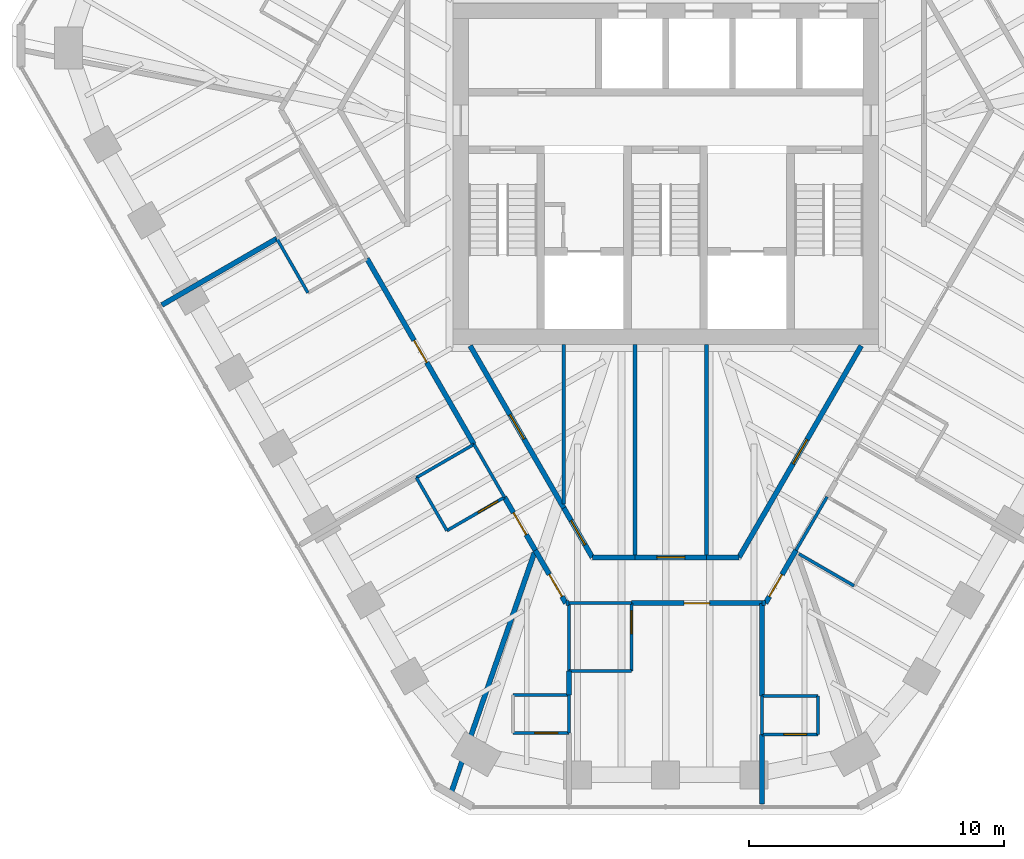
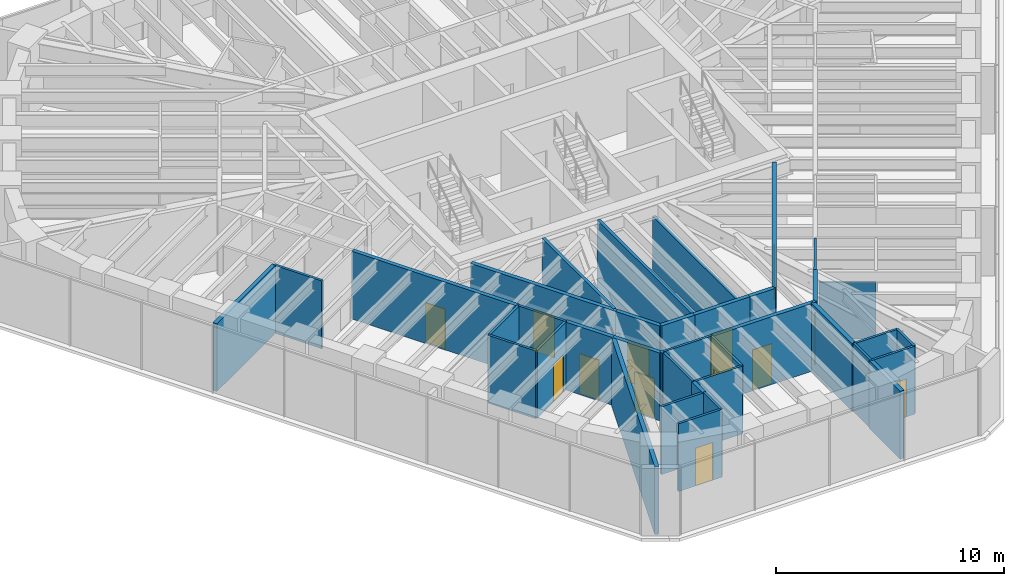
# One storey, part 9 of 14: 39 walls, 13 doors, 13 openings.
"""IFC4 building model written with IfcOpenShell, lengths in metres."""

from ifc_helpers import new_model, si_unit, direction, frame, frame_2d, origin, place, context, subcontext, project, spatial, rectangle, extrude, material, layer, layer_set, type_object, element, fill, save


model = new_model("IFC4")

# Units and contexts
model_context = context("Model", 3, precision=1e-05, world=origin(), true_north=direction((0.0, 1.0)))
body_context = subcontext(model_context, "Body", "Model", "MODEL_VIEW")
ifc_project = project(units=[si_unit("LENGTHUNIT", "METRE"), si_unit("AREAUNIT", "SQUARE_METRE"), si_unit("VOLUMEUNIT", "CUBIC_METRE"), si_unit("PLANEANGLEUNIT", "RADIAN"), si_unit("MASSUNIT", "GRAM", prefix="KILO")], contexts=[model_context])

# Site, building, storey
site_placement = place(None, origin())
site = spatial("IfcSite", under=ifc_project, at=site_placement, CompositionType="ELEMENT")
building_placement = place(site_placement, origin())
building = spatial("IfcBuilding", under=site, at=building_placement, Name="Sandreach Pilgrim Tower", CompositionType="ELEMENT")
storey_placement = place(building_placement, frame((0.0, 0.0, 291.199951171875)))
storey = spatial("IfcBuildingStorey", under=building, at=storey_placement, Name="L73", CompositionType="ELEMENT", Elevation=291.199951171875)

# Walls
ifc_material_1 = material(Name="Gypsum board on steel studs", Category="steel")
ifc_layer_1 = layer(ifc_material_1, 0.14990234375)
ifc_layer_set_1 = layer_set([ifc_layer_1], Name="Back of house wall 150")
wall_type_1 = type_object("IfcWallType", Name="Back of house wall 150", PredefinedType="PARTITIONING", material=ifc_layer_set_1)
wall_1_placement = place(storey_placement, frame((-4.0, -6.699951171875, 0.0), z_axis=(0.0, 0.0, 1.0), x_axis=(0.0, -1.0, 0.0)))
element("IfcWall", 1, at=wall_1_placement, inside=storey, type_object=wall_type_1, Name="Back of house wall L73-049", PredefinedType="PARTITIONING", context=body_context, shape_type="SweptSolid", body=[
    extrude(rectangle(XDim=6.26513671875, YDim=0.14990234375, at=frame_2d((3.132568359375, 0.0))), origin(), (0.0, 0.0, 1.0), 3.64013671875),
])
wall_2_placement = place(storey_placement, frame((-1.199951171875, -6.699951171875, 0.0), z_axis=(0.0, 0.0, 1.0), x_axis=(0.0, -1.0, 0.0)))
element("IfcWall", 2, at=wall_2_placement, inside=storey, type_object=wall_type_1, Name="Back of house wall L73-063", PredefinedType="PARTITIONING", context=body_context, shape_type="SweptSolid", body=[
    extrude(rectangle(XDim=8.360107421875, YDim=0.14990234375, at=frame_2d((4.18017578125, 0.0))), origin(), (0.0, 0.0, 1.0), 3.64013671875),
])
wall_3_placement = place(storey_placement, frame((1.60009765625, -6.699951171875, 0.0), z_axis=(0.0, 0.0, 1.0), x_axis=(0.0, -1.0, 0.0)))
element("IfcWall", 3, at=wall_3_placement, inside=storey, type_object=wall_type_1, Name="Back of house wall L73-069", PredefinedType="PARTITIONING", context=body_context, shape_type="SweptSolid", body=[
    extrude(rectangle(XDim=8.360107421875, YDim=0.14990234375, at=frame_2d((4.18017578125, 0.0))), origin(), (0.0, 0.0, 1.0), 2.8603515625),
])
ifc_material_2 = material(Name="Moisture-resistant gypsum board on steel studs", Category="steel")
ifc_layer_2 = layer(ifc_material_2, 0.1201171875)
ifc_layer_set_2 = layer_set([ifc_layer_2], Name="Bathroom partition 120")
wall_type_2 = type_object("IfcWallType", Name="Bathroom partition 120", PredefinedType="PARTITIONING", material=ifc_layer_set_2)
wall_4_placement = place(storey_placement, frame((-15.27001953125, -2.5400390625, 0.0), z_axis=(0.0, 0.0, 1.0), x_axis=(0.497027744361, -0.86773464915, 0.0)))
element("IfcWall", 4, at=wall_4_placement, inside=storey, type_object=wall_type_2, Name="Bathroom partition L73-008", PredefinedType="PARTITIONING", context=body_context, shape_type="SweptSolid", body=[
    extrude(rectangle(XDim=2.45458984375, YDim=0.1201171875, at=frame_2d((1.227294921875, 0.0))), origin(), (0.0, 0.0, 1.0), 3.64013671875),
])
wall_5_placement = place(storey_placement, frame((-9.7900390625, -11.929931640625, 0.0), z_axis=(0.0, 0.0, 1.0), x_axis=(0.499693115345, -0.866202511239, 0.0)))
element("IfcWall", 5, at=wall_5_placement, inside=storey, type_object=wall_type_2, Name="Bathroom partition L73-031", PredefinedType="PARTITIONING", context=body_context, shape_type="SweptSolid", body=[
    extrude(rectangle(XDim=2.4013671875, YDim=0.1201171875, at=frame_2d((1.20068359375, 0.0))), origin(), (0.0, 0.0, 1.0), 3.64013671875),
])
wall_6_placement = place(storey_placement, frame((-9.7900390625, -11.929931640625, 0.0), z_axis=(0.0, 0.0, 1.0), x_axis=(0.865195830568, 0.501434118073, 0.0)))
element("IfcWall", 6, at=wall_6_placement, inside=storey, type_object=wall_type_2, Name="Bathroom partition L73-032", PredefinedType="PARTITIONING", context=body_context, shape_type="SweptSolid", body=[
    extrude(rectangle(XDim=2.612060546875, YDim=0.1201171875, at=frame_2d((1.30615234375, 0.0))), origin(), (0.0, 0.0, 1.0), 3.64013671875),
])

# Wall, opening, door
wall_7_placement = place(storey_placement, frame((-8.590087890625, -14.010009765625, 0.0), z_axis=(0.0, 0.0, 1.0), x_axis=(0.865155281359, 0.50150407689, 0.0)))
wall_7 = element("IfcWall", 7, at=wall_7_placement, inside=storey, type_object=wall_type_2, Name="Bathroom partition L73-033", PredefinedType="PARTITIONING", context=body_context, shape_type="SweptSolid", body=[
    extrude(rectangle(XDim=2.6123046875, YDim=0.1201171875, at=frame_2d((1.30615234375, 0.0))), origin(), (0.0, 0.0, 1.0), 3.64013671875),
])
opening_1_placement = place(wall_7_placement, frame((1.412109375, 0.0, 0.0)))
opening_1 = element("IfcOpeningElement", 8, at=opening_1_placement, cuts=wall_7, Name="Opening D09-13B", PredefinedType="OPENING", context=body_context, shape_type="SweptSolid", body=[
    extrude(rectangle(XDim=0.89990234375, YDim=2.030029296875, at=frame_2d((0.449951171875, 1.01513671875))), frame((0.0, 0.06005859375, 0.0), z_axis=(0.0, -1.0, 0.0), x_axis=(1.0, 0.0, 0.0)), (0.0, 0.0, 1.0), 0.1201171875),
])
ifc_material_3 = material(Name="Timber door, steel frame", Category="steel")
door_type_1 = type_object("IfcDoorType", Name="Bathroom door", OperationType="SINGLE_SWING_LEFT", PredefinedType="DOOR", material=ifc_material_3)
door_1_placement = place(opening_1_placement, origin())
door_1 = element("IfcDoor", 9, at=door_1_placement, inside=storey, type_object=door_type_1, Name="Door 7313B", OperationType="SINGLE_SWING_RIGHT", OverallHeight=2.030029296875, OverallWidth=0.89990234375, PredefinedType="DOOR", context=body_context, shape_type="SweptSolid", body=[
    extrude(rectangle(XDim=0.89990234375, YDim=2.030029296875, at=frame_2d((0.449951171875, 1.01513671875))), frame((0.0, 0.02490234375, 0.0), z_axis=(0.0, -1.0, 0.0), x_axis=(1.0, 0.0, 0.0)), (0.0, 0.0, 1.0), 0.050048828125),
])
fill(opening_1, door_1)

# Wall
wall_8_placement = place(storey_placement, frame((-7.530029296875, -10.6201171875, 0.0), z_axis=(0.0, 0.0, 1.0), x_axis=(0.499737123639, -0.866177122335, 0.0)))
element("IfcWall", 10, at=wall_8_placement, inside=storey, type_object=wall_type_2, Name="Bathroom partition L73-039", PredefinedType="PARTITIONING", context=body_context, shape_type="SweptSolid", body=[
    extrude(rectangle(XDim=2.401123046875, YDim=0.1201171875, at=frame_2d((1.20068359375, 0.0))), origin(), (0.0, 0.0, 1.0), 3.64013671875),
])

# Wall, opening, door
wall_9_placement = place(storey_placement, frame((-5.989990234375, -21.9599609375, 0.0), z_axis=(0.0, 0.0, 1.0), x_axis=(1.0, 0.0, 0.0)))
wall_9 = element("IfcWall", 11, at=wall_9_placement, inside=storey, type_object=wall_type_2, Name="Bathroom partition L73-042", PredefinedType="PARTITIONING", context=body_context, shape_type="SweptSolid", body=[
    extrude(rectangle(XDim=2.199951171875, YDim=0.1201171875, at=frame_2d((1.10009765625, 0.0))), origin(), (0.0, 0.0, 1.0), 3.64013671875),
])
opening_2_placement = place(wall_9_placement, frame((0.85009765625, 0.0, 0.0)))
opening_2 = element("IfcOpeningElement", 12, at=opening_2_placement, cuts=wall_9, Name="Opening D09-12B", PredefinedType="OPENING", context=body_context, shape_type="SweptSolid", body=[
    extrude(rectangle(XDim=0.89990234375, YDim=2.030029296875, at=frame_2d((0.449951171875, 1.01513671875))), frame((0.0, 0.06005859375, 0.0), z_axis=(0.0, -1.0, 0.0), x_axis=(1.0, 0.0, 0.0)), (0.0, 0.0, 1.0), 0.1201171875),
])
door_2_placement = place(opening_2_placement, origin())
door_2 = element("IfcDoor", 13, at=door_2_placement, inside=storey, type_object=door_type_1, Name="Door 7312B", OperationType="SINGLE_SWING_RIGHT", OverallHeight=2.030029296875, OverallWidth=0.89990234375, PredefinedType="DOOR", context=body_context, shape_type="SweptSolid", body=[
    extrude(rectangle(XDim=0.89990234375, YDim=2.030029296875, at=frame_2d((0.449951171875, 1.01513671875))), frame((0.0, 0.02490234375, 0.0), z_axis=(0.0, -1.0, 0.0), x_axis=(1.0, 0.0, 0.0)), (0.0, 0.0, 1.0), 0.050048828125),
])
fill(opening_2, door_2)

# Walls
wall_10_placement = place(storey_placement, frame((-3.7900390625, -21.9599609375, 0.0), z_axis=(0.0, 0.0, 1.0), x_axis=(0.0, 1.0, 0.0)))
element("IfcWall", 14, at=wall_10_placement, inside=storey, type_object=wall_type_2, Name="Bathroom partition L73-052", PredefinedType="PARTITIONING", context=body_context, shape_type="SweptSolid", body=[
    extrude(rectangle(XDim=1.5, YDim=0.1201171875, at=frame_2d((0.75, 0.0))), origin(), (0.0, 0.0, 1.0), 3.64013671875),
])
wall_11_placement = place(storey_placement, frame((-3.7900390625, -20.4599609375, 0.0), z_axis=(0.0, 0.0, 1.0), x_axis=(-1.0, 0.0, 0.0)))
element("IfcWall", 15, at=wall_11_placement, inside=storey, type_object=wall_type_2, Name="Bathroom partition L73-053", PredefinedType="PARTITIONING", context=body_context, shape_type="SweptSolid", body=[
    extrude(rectangle(XDim=2.199951171875, YDim=0.1201171875, at=frame_2d((1.10009765625, 0.0))), origin(), (0.0, 0.0, 1.0), 3.64013671875),
])
wall_12_placement = place(storey_placement, frame((-3.7900390625, -19.530029296875, 0.0), z_axis=(0.0, 0.0, 1.0), x_axis=(0.0, 1.0, 0.0)))
element("IfcWall", 16, at=wall_12_placement, inside=storey, type_object=wall_type_2, Name="Bathroom partition L73-055", PredefinedType="PARTITIONING", context=body_context, shape_type="SweptSolid", body=[
    extrude(rectangle(XDim=2.669921875, YDim=0.1201171875, at=frame_2d((1.3349609375, 0.0))), origin(), (0.0, 0.0, 1.0), 3.64013671875),
])
for number, where, z_axis, x_axis, name in (
    (17, (-3.7900390625, -19.530029296875, 0.0), (0.0, 0.0, 1.0), (1.0, 0.0, 0.0), "Bathroom partition L73-056"),
    (18, (-3.7900390625, -16.860107421875, 0.0), (0.0, 0.0, 1.0), (1.0, 0.0, 0.0), "Bathroom partition L73-057"),
):
    element("IfcWall", number, at=place(storey_placement, frame(where, z_axis=z_axis, x_axis=x_axis)), inside=storey, type_object=wall_type_2, Name=name, PredefinedType="PARTITIONING", context=body_context, shape_type="SweptSolid", body=[
        extrude(rectangle(XDim=2.449951171875, YDim=0.1201171875, at=frame_2d((1.22509765625, 0.0))), origin(), (0.0, 0.0, 1.0), 3.64013671875),
    ])

# Wall, opening, door
wall_13_placement = place(storey_placement, frame((-1.340087890625, -19.530029296875, 0.0), z_axis=(0.0, 0.0, 1.0), x_axis=(0.0, 1.0, 0.0)))
wall_13 = element("IfcWall", 19, at=wall_13_placement, inside=storey, type_object=wall_type_2, Name="Bathroom partition L73-060", PredefinedType="PARTITIONING", context=body_context, shape_type="SweptSolid", body=[
    extrude(rectangle(XDim=2.669921875, YDim=0.1201171875, at=frame_2d((1.3349609375, 0.0))), origin(), (0.0, 0.0, 1.0), 3.64013671875),
])
opening_3_placement = place(wall_13_placement, frame((1.469970703125, 0.0, 0.0)))
opening_3 = element("IfcOpeningElement", 20, at=opening_3_placement, cuts=wall_13, Name="Opening D09-11B", PredefinedType="OPENING", context=body_context, shape_type="SweptSolid", body=[
    extrude(rectangle(XDim=0.89990234375, YDim=2.030029296875, at=frame_2d((0.449951171875, 1.01513671875))), frame((0.0, 0.06005859375, 0.0), z_axis=(0.0, -1.0, 0.0), x_axis=(1.0, 0.0, 0.0)), (0.0, 0.0, 1.0), 0.1201171875),
])
door_3_placement = place(opening_3_placement, origin())
door_3 = element("IfcDoor", 21, at=door_3_placement, inside=storey, type_object=door_type_1, Name="Door 7311B", OperationType="SINGLE_SWING_RIGHT", OverallHeight=2.030029296875, OverallWidth=0.89990234375, PredefinedType="DOOR", context=body_context, shape_type="SweptSolid", body=[
    extrude(rectangle(XDim=0.89990234375, YDim=2.030029296875, at=frame_2d((0.449951171875, 1.01513671875))), frame((0.0, 0.02490234375, 0.0), z_axis=(0.0, -1.0, 0.0), x_axis=(1.0, 0.0, 0.0)), (0.0, 0.0, 1.0), 0.050048828125),
])
fill(opening_3, door_3)

# Wall
wall_14_placement = place(storey_placement, frame((3.7900390625, -22.010009765625, 0.0), z_axis=(0.0, 0.0, 1.0), x_axis=(0.0, 1.0, 0.0)))
element("IfcWall", 22, at=wall_14_placement, inside=storey, type_object=wall_type_2, Name="Bathroom partition L73-074", PredefinedType="PARTITIONING", context=body_context, shape_type="SweptSolid", body=[
    extrude(rectangle(XDim=1.5, YDim=0.1201171875, at=frame_2d((0.75, 0.0))), origin(), (0.0, 0.0, 1.0), 3.64013671875),
])

# Wall, opening, door
wall_15_placement = place(storey_placement, frame((3.7900390625, -22.010009765625, 0.0), z_axis=(0.0, 0.0, 1.0), x_axis=(1.0, 0.0, 0.0)))
wall_15 = element("IfcWall", 23, at=wall_15_placement, inside=storey, type_object=wall_type_2, Name="Bathroom partition L73-075", PredefinedType="PARTITIONING", context=body_context, shape_type="SweptSolid", body=[
    extrude(rectangle(XDim=2.199951171875, YDim=0.1201171875, at=frame_2d((1.10009765625, 0.0))), origin(), (0.0, 0.0, 1.0), 3.64013671875),
])
opening_4_placement = place(wall_15_placement, frame((0.85009765625, 0.0, 0.0)))
opening_4 = element("IfcOpeningElement", 24, at=opening_4_placement, cuts=wall_15, Name="Opening D09-10B", PredefinedType="OPENING", context=body_context, shape_type="SweptSolid", body=[
    extrude(rectangle(XDim=0.89990234375, YDim=2.030029296875, at=frame_2d((0.449951171875, 1.01513671875))), frame((0.0, 0.06005859375, 0.0), z_axis=(0.0, -1.0, 0.0), x_axis=(1.0, 0.0, 0.0)), (0.0, 0.0, 1.0), 0.1201171875),
])
door_4_placement = place(opening_4_placement, origin())
door_4 = element("IfcDoor", 25, at=door_4_placement, inside=storey, type_object=door_type_1, Name="Door 7310B", OperationType="SINGLE_SWING_RIGHT", OverallHeight=2.030029296875, OverallWidth=0.89990234375, PredefinedType="DOOR", context=body_context, shape_type="SweptSolid", body=[
    extrude(rectangle(XDim=0.89990234375, YDim=2.030029296875, at=frame_2d((0.449951171875, 1.01513671875))), frame((0.0, 0.02490234375, 0.0), z_axis=(0.0, -1.0, 0.0), x_axis=(1.0, 0.0, 0.0)), (0.0, 0.0, 1.0), 0.050048828125),
])
fill(opening_4, door_4)

# Walls
wall_16_placement = place(storey_placement, frame((5.1201171875, -14.780029296875, 0.0), z_axis=(0.0, 0.0, 1.0), x_axis=(0.502307685327, 0.86468895521, 0.0)))
element("IfcWall", 26, at=wall_16_placement, inside=storey, type_object=wall_type_2, Name="Bathroom partition L73-079", PredefinedType="PARTITIONING", context=body_context, shape_type="SweptSolid", body=[
    extrude(rectangle(XDim=2.4287109375, YDim=0.1201171875, at=frame_2d((1.21435546875, 0.0))), origin(), (0.0, 0.0, 1.0), 3.64013671875),
])
wall_17_placement = place(storey_placement, frame((5.2333984375, -14.922607421875, 0.0), z_axis=(0.0, 0.0, 1.0), x_axis=(0.864900876675, -0.501942699445, 0.0)))
element("IfcWall", 27, at=wall_17_placement, inside=storey, type_object=wall_type_2, Name="Bathroom partition L73-080", PredefinedType="PARTITIONING", context=body_context, shape_type="SweptSolid", body=[
    extrude(rectangle(XDim=2.5048828125, YDim=0.1201171875, at=frame_2d((1.25244140625, 0.0))), origin(), (0.0, 0.0, 1.0), 3.0380859375),
])
wall_18_placement = place(storey_placement, frame((5.989990234375, -22.010009765625, 0.0), z_axis=(0.0, 0.0, 1.0), x_axis=(0.0, 1.0, 0.0)))
element("IfcWall", 28, at=wall_18_placement, inside=storey, type_object=wall_type_2, Name="Bathroom partition L73-088", PredefinedType="PARTITIONING", context=body_context, shape_type="SweptSolid", body=[
    extrude(rectangle(XDim=1.5, YDim=0.1201171875, at=frame_2d((0.75, 0.0))), origin(), (0.0, 0.0, 1.0), 3.64013671875),
])
wall_19_placement = place(storey_placement, frame((5.989990234375, -20.510009765625, 0.0), z_axis=(0.0, 0.0, 1.0), x_axis=(-1.0, 0.0, 0.0)))
element("IfcWall", 29, at=wall_19_placement, inside=storey, type_object=wall_type_2, Name="Bathroom partition L73-089", PredefinedType="PARTITIONING", context=body_context, shape_type="SweptSolid", body=[
    extrude(rectangle(XDim=2.199951171875, YDim=0.1201171875, at=frame_2d((1.10009765625, 0.0))), origin(), (0.0, 0.0, 1.0), 3.64013671875),
])

# Wall, opening, door
ifc_material_4 = material(Name="Gypsum board on steel studs, two layers each side", Category="steel")
ifc_layer_3 = layer(ifc_material_4, 0.199951171875)
ifc_layer_set_3 = layer_set([ifc_layer_3], Name="Corridor wall 200")
wall_type_3 = type_object("IfcWallType", Name="Corridor wall 200", PredefinedType="PARTITIONING", material=ifc_layer_set_3)
wall_20_placement = place(storey_placement, frame((-11.72998046875, -3.330078125, 0.0), z_axis=(0.0, 0.0, 1.0), x_axis=(0.499214067722, -0.866478686748, 0.0)))
wall_20 = element("IfcWall", 30, at=wall_20_placement, inside=storey, type_object=wall_type_3, Name="Corridor wall L73-025", PredefinedType="PARTITIONING", context=body_context, shape_type="SweptSolid", body=[
    extrude(rectangle(XDim=8.4130859375, YDim=0.199951171875, at=frame_2d((4.20654296875, 0.0))), origin(), (0.0, 0.0, 1.0), 3.64013671875),
])
opening_5_placement = place(wall_20_placement, frame((3.706787109375, 0.0, 0.0)))
opening_5 = element("IfcOpeningElement", 31, at=opening_5_placement, cuts=wall_20, Name="Opening D10-14", PredefinedType="OPENING", context=body_context, shape_type="SweptSolid", body=[
    extrude(rectangle(XDim=1.0, YDim=2.1298828125, at=frame_2d((0.5, 1.06494140625))), frame((0.0, 0.10009765625, 0.0), z_axis=(0.0, -1.0, 0.0), x_axis=(1.0, 0.0, 0.0)), (0.0, 0.0, 1.0), 0.199951171875),
])
ifc_material_5 = material(Name="Steel door and frame", Category="steel")
door_type_2 = type_object("IfcDoorType", Name="Guest room entry door", OperationType="SINGLE_SWING_LEFT", PredefinedType="DOOR", material=ifc_material_5)
door_5_placement = place(opening_5_placement, origin())
door_5 = element("IfcDoor", 32, at=door_5_placement, inside=storey, type_object=door_type_2, Name="Door 7314", OperationType="SINGLE_SWING_LEFT", OverallHeight=2.1298828125, OverallWidth=1.0, PredefinedType="DOOR", context=body_context, shape_type="SweptSolid", body=[
    extrude(rectangle(XDim=1.0, YDim=2.1298828125, at=frame_2d((0.5, 1.06494140625))), frame((0.0, 0.02490234375, 0.0), z_axis=(0.0, -1.0, 0.0), x_axis=(1.0, 0.0, 0.0)), (0.0, 0.0, 1.0), 0.050048828125),
])
fill(opening_5, door_5)

wall_21_placement = place(storey_placement, frame((-6.330078125, -12.699951171875, 0.0), z_axis=(0.0, 0.0, 1.0), x_axis=(0.502810888564, -0.864396442809, 0.0)))
wall_21 = element("IfcWall", 33, at=wall_21_placement, inside=storey, type_object=wall_type_3, Name="Corridor wall L73-041", PredefinedType="PARTITIONING", context=body_context, shape_type="SweptSolid", body=[
    extrude(rectangle(XDim=2.406494140625, YDim=0.199951171875, at=frame_2d((1.203125, 0.0))), origin(), (0.0, 0.0, 1.0), 3.64013671875),
])
opening_6_placement = place(wall_21_placement, frame((0.703125, 0.0, 0.0)))
opening_6 = element("IfcOpeningElement", 34, at=opening_6_placement, cuts=wall_21, Name="Opening D10-13", PredefinedType="OPENING", context=body_context, shape_type="SweptSolid", body=[
    extrude(rectangle(XDim=1.0, YDim=2.1298828125, at=frame_2d((0.5, 1.06494140625))), frame((0.0, 0.10009765625, 0.0), z_axis=(0.0, -1.0, 0.0), x_axis=(1.0, 0.0, 0.0)), (0.0, 0.0, 1.0), 0.199951171875),
])
door_6_placement = place(opening_6_placement, origin())
door_6 = element("IfcDoor", 35, at=door_6_placement, inside=storey, type_object=door_type_2, Name="Door 7313", OperationType="SINGLE_SWING_LEFT", OverallHeight=2.1298828125, OverallWidth=1.0, PredefinedType="DOOR", context=body_context, shape_type="SweptSolid", body=[
    extrude(rectangle(XDim=1.0, YDim=2.1298828125, at=frame_2d((0.5, 1.06494140625))), frame((0.0, 0.02490234375, 0.0), z_axis=(0.0, -1.0, 0.0), x_axis=(1.0, 0.0, 0.0)), (0.0, 0.0, 1.0), 0.050048828125),
])
fill(opening_6, door_6)

wall_22_placement = place(storey_placement, frame((-5.1201171875, -14.780029296875, 0.0), z_axis=(0.0, 0.0, 1.0), x_axis=(0.499813401482, -0.866133109688, 0.0)))
wall_22 = element("IfcWall", 36, at=wall_22_placement, inside=storey, type_object=wall_type_3, Name="Corridor wall L73-047", PredefinedType="PARTITIONING", context=body_context, shape_type="SweptSolid", body=[
    extrude(rectangle(XDim=2.4013671875, YDim=0.199951171875, at=frame_2d((1.20068359375, 0.0))), origin(), (0.0, 0.0, 1.0), 3.64013671875),
])
opening_7_placement = place(wall_22_placement, frame((1.10009765625, 0.0, 0.0)))
opening_7 = element("IfcOpeningElement", 37, at=opening_7_placement, cuts=wall_22, Name="Opening D10-12", PredefinedType="OPENING", context=body_context, shape_type="SweptSolid", body=[
    extrude(rectangle(XDim=1.0, YDim=2.1298828125, at=frame_2d((0.5, 1.06494140625))), frame((0.0, 0.10009765625, 0.0), z_axis=(0.0, -1.0, 0.0), x_axis=(1.0, 0.0, 0.0)), (0.0, 0.0, 1.0), 0.199951171875),
])
door_7_placement = place(opening_7_placement, origin())
door_7 = element("IfcDoor", 38, at=door_7_placement, inside=storey, type_object=door_type_2, Name="Door 7312", OperationType="SINGLE_SWING_RIGHT", OverallHeight=2.1298828125, OverallWidth=1.0, PredefinedType="DOOR", context=body_context, shape_type="SweptSolid", body=[
    extrude(rectangle(XDim=1.0, YDim=2.1298828125, at=frame_2d((0.5, 1.06494140625))), frame((0.0, 0.02490234375, 0.0), z_axis=(0.0, -1.0, 0.0), x_axis=(1.0, 0.0, 0.0)), (0.0, 0.0, 1.0), 0.050048828125),
])
fill(opening_7, door_7)

wall_23_placement = place(storey_placement, frame((-4.0, -13.1201171875, 0.0), z_axis=(0.0, 0.0, 1.0), x_axis=(-0.500218436225, 0.865899252835, 0.0)))
wall_23 = element("IfcWall", 39, at=wall_23_placement, inside=storey, type_object=wall_type_3, Name="Corridor wall L73-048", PredefinedType="PARTITIONING", context=body_context, shape_type="SweptSolid", body=[
    extrude(rectangle(XDim=7.356689453125, YDim=0.199951171875, at=frame_2d((3.67822265625, 0.0))), origin(), (0.0, 0.0, 1.0), 3.64013671875),
])
opening_8_placement = place(wall_23_placement, frame((3.12841796875, 0.0, 0.0)))
opening_8 = element("IfcOpeningElement", 40, at=opening_8_placement, cuts=wall_23, Name="Opening D11H-S1", PredefinedType="OPENING", context=body_context, shape_type="SweptSolid", body=[
    extrude(rectangle(XDim=1.10009765625, YDim=2.199951171875, at=frame_2d((0.550048828125, 1.10009765625))), frame((0.0, 0.10009765625, 0.0), z_axis=(0.0, -1.0, 0.0), x_axis=(1.0, 0.0, 0.0)), (0.0, 0.0, 1.0), 0.199951171875),
])
ifc_material_6 = material(Name="Steel door and frame", Category="steel")
door_type_3 = type_object("IfcDoorType", Name="Back of house door", OperationType="SINGLE_SWING_LEFT", PredefinedType="DOOR", material=ifc_material_6)
door_8_placement = place(opening_8_placement, origin())
door_8 = element("IfcDoor", 41, at=door_8_placement, inside=storey, type_object=door_type_3, Name="Door 73S1", OperationType="SINGLE_SWING_LEFT", OverallHeight=2.199951171875, OverallWidth=1.10009765625, PredefinedType="DOOR", context=body_context, shape_type="SweptSolid", body=[
    extrude(rectangle(XDim=1.10009765625, YDim=2.199951171875, at=frame_2d((0.550048828125, 1.10009765625))), frame((0.0, 0.02490234375, 0.0), z_axis=(0.0, -1.0, 0.0), x_axis=(1.0, 0.0, 0.0)), (0.0, 0.0, 1.0), 0.050048828125),
])
fill(opening_8, door_8)

# Wall
wall_24_placement = place(storey_placement, frame((-3.919921875, -16.860107421875, 0.0), z_axis=(0.0, 0.0, 1.0), x_axis=(1.0, 0.0, 0.0)))
element("IfcWall", 42, at=wall_24_placement, inside=storey, type_object=wall_type_3, Name="Corridor wall L73-050", PredefinedType="PARTITIONING", context=body_context, shape_type="SweptSolid", body=[
    extrude(rectangle(XDim=0.1298828125, YDim=0.199951171875, at=frame_2d((0.06494140625, 0.0))), origin(), (0.0, 0.0, 1.0), 3.64013671875),
])

# Wall, opening, door
wall_25_placement = place(storey_placement, frame((-2.8798828125, -15.06005859375, 0.0), z_axis=(0.0, 0.0, 1.0), x_axis=(-0.499983441833, 0.866034963436, 0.0)))
wall_25 = element("IfcWall", 43, at=wall_25_placement, inside=storey, type_object=wall_type_3, Name="Corridor wall L73-058", PredefinedType="PARTITIONING", context=body_context, shape_type="SweptSolid", body=[
    extrude(rectangle(XDim=2.240234375, YDim=0.199951171875, at=frame_2d((1.1201171875, 0.0))), origin(), (0.0, 0.0, 1.0), 3.64013671875),
])
opening_9_placement = place(wall_25_placement, frame((0.570068359375, 0.0, 0.0)))
opening_9 = element("IfcOpeningElement", 44, at=opening_9_placement, cuts=wall_25, Name="Opening D11H-S2", PredefinedType="OPENING", context=body_context, shape_type="SweptSolid", body=[
    extrude(rectangle(XDim=1.10009765625, YDim=2.199951171875, at=frame_2d((0.550048828125, 1.10009765625))), frame((0.0, 0.10009765625, 0.0), z_axis=(0.0, -1.0, 0.0), x_axis=(1.0, 0.0, 0.0)), (0.0, 0.0, 1.0), 0.199951171875),
])
door_9_placement = place(opening_9_placement, origin())
door_9 = element("IfcDoor", 45, at=door_9_placement, inside=storey, type_object=door_type_3, Name="Door 73S2", OperationType="SINGLE_SWING_LEFT", OverallHeight=2.199951171875, OverallWidth=1.10009765625, PredefinedType="DOOR", context=body_context, shape_type="SweptSolid", body=[
    extrude(rectangle(XDim=1.10009765625, YDim=2.199951171875, at=frame_2d((0.550048828125, 1.10009765625))), frame((0.0, 0.02490234375, 0.0), z_axis=(0.0, -1.0, 0.0), x_axis=(1.0, 0.0, 0.0)), (0.0, 0.0, 1.0), 0.050048828125),
])
fill(opening_9, door_9)

wall_26_placement = place(storey_placement, frame((-1.340087890625, -16.860107421875, 0.0), z_axis=(0.0, 0.0, 1.0), x_axis=(1.0, 0.0, 0.0)))
wall_26 = element("IfcWall", 46, at=wall_26_placement, inside=storey, type_object=wall_type_3, Name="Corridor wall L73-061", PredefinedType="PARTITIONING", context=body_context, shape_type="SweptSolid", body=[
    extrude(rectangle(XDim=5.130126953125, YDim=0.199951171875, at=frame_2d((2.56494140625, 0.0))), origin(), (0.0, 0.0, 1.0), 3.64013671875),
])
opening_10_placement = place(wall_26_placement, frame((2.06494140625, 0.0, 0.0)))
opening_10 = element("IfcOpeningElement", 47, at=opening_10_placement, cuts=wall_26, Name="Opening D10-11", PredefinedType="OPENING", context=body_context, shape_type="SweptSolid", body=[
    extrude(rectangle(XDim=1.0, YDim=2.1298828125, at=frame_2d((0.5, 1.06494140625))), frame((0.0, 0.10009765625, 0.0), z_axis=(0.0, -1.0, 0.0), x_axis=(1.0, 0.0, 0.0)), (0.0, 0.0, 1.0), 0.199951171875),
])
door_10_placement = place(opening_10_placement, origin())
door_10 = element("IfcDoor", 48, at=door_10_placement, inside=storey, type_object=door_type_2, Name="Door 7311", OperationType="SINGLE_SWING_LEFT", OverallHeight=2.1298828125, OverallWidth=1.0, PredefinedType="DOOR", context=body_context, shape_type="SweptSolid", body=[
    extrude(rectangle(XDim=1.0, YDim=2.1298828125, at=frame_2d((0.5, 1.06494140625))), frame((0.0, 0.02490234375, 0.0), z_axis=(0.0, -1.0, 0.0), x_axis=(1.0, 0.0, 0.0)), (0.0, 0.0, 1.0), 0.050048828125),
])
fill(opening_10, door_10)

# Wall
wall_27_placement = place(storey_placement, frame((-1.199951171875, -15.06005859375, 0.0), z_axis=(0.0, 0.0, 1.0), x_axis=(-1.0, 0.0, 0.0)))
element("IfcWall", 49, at=wall_27_placement, inside=storey, type_object=wall_type_3, Name="Corridor wall L73-062", PredefinedType="PARTITIONING", context=body_context, shape_type="SweptSolid", body=[
    extrude(rectangle(XDim=1.679931640625, YDim=0.199951171875, at=frame_2d((0.83984375, 0.0))), origin(), (0.0, 0.0, 1.0), 3.64013671875),
])

# Wall, opening, door
wall_28_placement = place(storey_placement, frame((1.60009765625, -15.06005859375, 0.0), z_axis=(0.0, 0.0, 1.0), x_axis=(-1.0, 0.0, 0.0)))
wall_28 = element("IfcWall", 50, at=wall_28_placement, inside=storey, type_object=wall_type_3, Name="Corridor wall L73-068", PredefinedType="PARTITIONING", context=body_context, shape_type="SweptSolid", body=[
    extrude(rectangle(XDim=2.800048828125, YDim=0.199951171875, at=frame_2d((1.39990234375, 0.0))), origin(), (0.0, 0.0, 1.0), 3.64013671875),
])
opening_11_placement = place(wall_28_placement, frame((0.85009765625, 0.0, 0.0)))
opening_11 = element("IfcOpeningElement", 51, at=opening_11_placement, cuts=wall_28, Name="Opening D11H-S3", PredefinedType="OPENING", context=body_context, shape_type="SweptSolid", body=[
    extrude(rectangle(XDim=1.10009765625, YDim=2.199951171875, at=frame_2d((0.550048828125, 1.10009765625))), frame((0.0, 0.10009765625, 0.0), z_axis=(0.0, -1.0, 0.0), x_axis=(1.0, 0.0, 0.0)), (0.0, 0.0, 1.0), 0.199951171875),
])
door_11_placement = place(opening_11_placement, origin())
door_11 = element("IfcDoor", 52, at=door_11_placement, inside=storey, type_object=door_type_3, Name="Door 73S3", OperationType="SINGLE_SWING_LEFT", OverallHeight=2.199951171875, OverallWidth=1.10009765625, PredefinedType="DOOR", context=body_context, shape_type="SweptSolid", body=[
    extrude(rectangle(XDim=1.10009765625, YDim=2.199951171875, at=frame_2d((0.550048828125, 1.10009765625))), frame((0.0, 0.02490234375, 0.0), z_axis=(0.0, -1.0, 0.0), x_axis=(1.0, 0.0, 0.0)), (0.0, 0.0, 1.0), 0.050048828125),
])
fill(opening_11, door_11)

# Walls
wall_29_placement = place(storey_placement, frame((2.8798828125, -15.06005859375, 0.0), z_axis=(0.0, 0.0, 1.0), x_axis=(-1.0, 0.0, 0.0)))
element("IfcWall", 53, at=wall_29_placement, inside=storey, type_object=wall_type_3, Name="Corridor wall L73-070", PredefinedType="PARTITIONING", context=body_context, shape_type="SweptSolid", body=[
    extrude(rectangle(XDim=1.27978515625, YDim=0.199951171875, at=frame_2d((0.639892578125, 0.0))), origin(), (0.0, 0.0, 1.0), 3.64013671875),
])
wall_30_placement = place(storey_placement, frame((3.7900390625, -16.860107421875, 0.0), z_axis=(0.0, 0.0, 1.0), x_axis=(1.0, 0.0, 0.0)))
element("IfcWall", 54, at=wall_30_placement, inside=storey, type_object=wall_type_3, Name="Corridor wall L73-077", PredefinedType="PARTITIONING", context=body_context, shape_type="SweptSolid", body=[
    extrude(rectangle(XDim=0.1298828125, YDim=0.199951171875, at=frame_2d((0.06494140625, 0.0))), origin(), (0.0, 0.0, 1.0), 3.64013671875),
])

# Wall, opening, door
wall_31_placement = place(storey_placement, frame((3.919921875, -16.860107421875, 0.0), z_axis=(0.0, 0.0, 1.0), x_axis=(0.499693115345, 0.866202511239, 0.0)))
wall_31 = element("IfcWall", 55, at=wall_31_placement, inside=storey, type_object=wall_type_3, Name="Corridor wall L73-078", PredefinedType="PARTITIONING", context=body_context, shape_type="SweptSolid", body=[
    extrude(rectangle(XDim=2.4013671875, YDim=0.199951171875, at=frame_2d((1.20068359375, 0.0))), origin(), (0.0, 0.0, 1.0), 3.64013671875),
])
opening_12_placement = place(wall_31_placement, frame((0.300048828125, 0.0, 0.0)))
opening_12 = element("IfcOpeningElement", 56, at=opening_12_placement, cuts=wall_31, Name="Opening D10-10", PredefinedType="OPENING", context=body_context, shape_type="SweptSolid", body=[
    extrude(rectangle(XDim=1.0, YDim=2.1298828125, at=frame_2d((0.5, 1.06494140625))), frame((0.0, 0.10009765625, 0.0), z_axis=(0.0, -1.0, 0.0), x_axis=(1.0, 0.0, 0.0)), (0.0, 0.0, 1.0), 0.199951171875),
])
door_12_placement = place(opening_12_placement, origin())
door_12 = element("IfcDoor", 57, at=door_12_placement, inside=storey, type_object=door_type_2, Name="Door 7310", OperationType="SINGLE_SWING_LEFT", OverallHeight=2.1298828125, OverallWidth=1.0, PredefinedType="DOOR", context=body_context, shape_type="SweptSolid", body=[
    extrude(rectangle(XDim=1.0, YDim=2.1298828125, at=frame_2d((0.5, 1.06494140625))), frame((0.0, 0.02490234375, 0.0), z_axis=(0.0, -1.0, 0.0), x_axis=(1.0, 0.0, 0.0)), (0.0, 0.0, 1.0), 0.050048828125),
])
fill(opening_12, door_12)

wall_32_placement = place(storey_placement, frame((7.679931640625, -6.75, 0.0), z_axis=(0.0, 0.0, 1.0), x_axis=(-0.500174600737, -0.865924574532, 0.0)))
wall_32 = element("IfcWall", 58, at=wall_32_placement, inside=storey, type_object=wall_type_3, Name="Corridor wall L73-094", PredefinedType="PARTITIONING", context=body_context, shape_type="SweptSolid", body=[
    extrude(rectangle(XDim=9.5966796875, YDim=0.199951171875, at=frame_2d((4.79833984375, 0.0))), origin(), (0.0, 0.0, 1.0), 3.64013671875),
])
opening_13_placement = place(wall_32_placement, frame((4.248291015625, 0.0, 0.0)))
opening_13 = element("IfcOpeningElement", 59, at=opening_13_placement, cuts=wall_32, Name="Opening D11H-S4", PredefinedType="OPENING", context=body_context, shape_type="SweptSolid", body=[
    extrude(rectangle(XDim=1.10009765625, YDim=2.199951171875, at=frame_2d((0.550048828125, 1.10009765625))), frame((0.0, 0.10009765625, 0.0), z_axis=(0.0, -1.0, 0.0), x_axis=(1.0, 0.0, 0.0)), (0.0, 0.0, 1.0), 0.199951171875),
])
door_13_placement = place(opening_13_placement, origin())
door_13 = element("IfcDoor", 60, at=door_13_placement, inside=storey, type_object=door_type_3, Name="Door 73S4", OperationType="SINGLE_SWING_LEFT", OverallHeight=2.199951171875, OverallWidth=1.10009765625, PredefinedType="DOOR", context=body_context, shape_type="SweptSolid", body=[
    extrude(rectangle(XDim=1.10009765625, YDim=2.199951171875, at=frame_2d((0.550048828125, 1.10009765625))), frame((0.0, 0.02490234375, 0.0), z_axis=(0.0, -1.0, 0.0), x_axis=(1.0, 0.0, 0.0)), (0.0, 0.0, 1.0), 0.050048828125),
])
fill(opening_13, door_13)

# Walls
ifc_material_7 = material(Name="Double steel stud acoustic wall, gypsum board", Category="steel")
ifc_layer_4 = layer(ifc_material_7, 0.199951171875)
ifc_layer_set_4 = layer_set([ifc_layer_4], Name="Party wall 200")
wall_type_4 = type_object("IfcWallType", Name="Party wall 200", PredefinedType="PARTITIONING", material=ifc_layer_set_4)
wall_33_placement = place(storey_placement, frame((-19.7861328125, -5.14990234375, 0.0), z_axis=(0.0, 0.0, 1.0), x_axis=(0.865819112627, 0.500357136663, 0.0)))
element("IfcWall", 61, at=wall_33_placement, inside=storey, type_object=wall_type_4, Name="Party wall L73-003", PredefinedType="PARTITIONING", context=body_context, shape_type="SweptSolid", body=[
    extrude(rectangle(XDim=5.216064453125, YDim=0.199951171875, at=frame_2d((2.60791015625, 0.0))), origin(), (0.0, 0.0, 1.0), 3.64013671875),
])
wall_34_placement = place(storey_placement, frame((-8.4501953125, -24.381591796875, 0.0), z_axis=(0.0, 0.0, 1.0), x_axis=(0.327695764917, 0.944783300898, 0.0)))
element("IfcWall", 62, at=wall_34_placement, inside=storey, type_object=wall_type_4, Name="Party wall L73-036", PredefinedType="PARTITIONING", context=body_context, shape_type="SweptSolid", body=[
    extrude(rectangle(XDim=10.057861328125, YDim=0.199951171875, at=frame_2d((5.02880859375, 0.0))), origin(), (0.0, 0.0, 1.0), 3.64013671875),
])
wall_35_placement = place(storey_placement, frame((-3.7900390625, -20.4599609375, 0.0), z_axis=(0.0, 0.0, 1.0), x_axis=(0.0, 1.0, 0.0)))
element("IfcWall", 63, at=wall_35_placement, inside=storey, type_object=wall_type_4, Name="Party wall L73-054", PredefinedType="PARTITIONING", context=body_context, shape_type="SweptSolid", body=[
    extrude(rectangle(XDim=0.929931640625, YDim=0.199951171875, at=frame_2d((0.46484375, 0.0))), origin(), (0.0, 0.0, 1.0), 3.64013671875),
])
wall_36_placement = place(storey_placement, frame((3.7900390625, -24.739990234375, 0.0), z_axis=(0.0, 0.0, 1.0), x_axis=(0.0, 1.0, 0.0)))
element("IfcWall", 64, at=wall_36_placement, inside=storey, type_object=wall_type_4, Name="Party wall L73-073", PredefinedType="PARTITIONING", context=body_context, shape_type="SweptSolid", body=[
    extrude(rectangle(XDim=2.72998046875, YDim=0.199951171875, at=frame_2d((1.364990234375, 0.0))), origin(), (0.0, 0.0, 1.0), 3.64013671875),
])
wall_37_placement = place(storey_placement, frame((3.7900390625, -20.510009765625, 0.0), z_axis=(0.0, 0.0, 1.0), x_axis=(0.0, 1.0, 0.0)))
element("IfcWall", 65, at=wall_37_placement, inside=storey, type_object=wall_type_4, Name="Party wall L73-076", PredefinedType="PARTITIONING", context=body_context, shape_type="SweptSolid", body=[
    extrude(rectangle(XDim=3.639892578125, YDim=0.199951171875, at=frame_2d((1.81982421875, 0.0))), origin(), (0.0, 0.0, 1.0), 3.64013671875),
])

save(model, "model.ifc")
